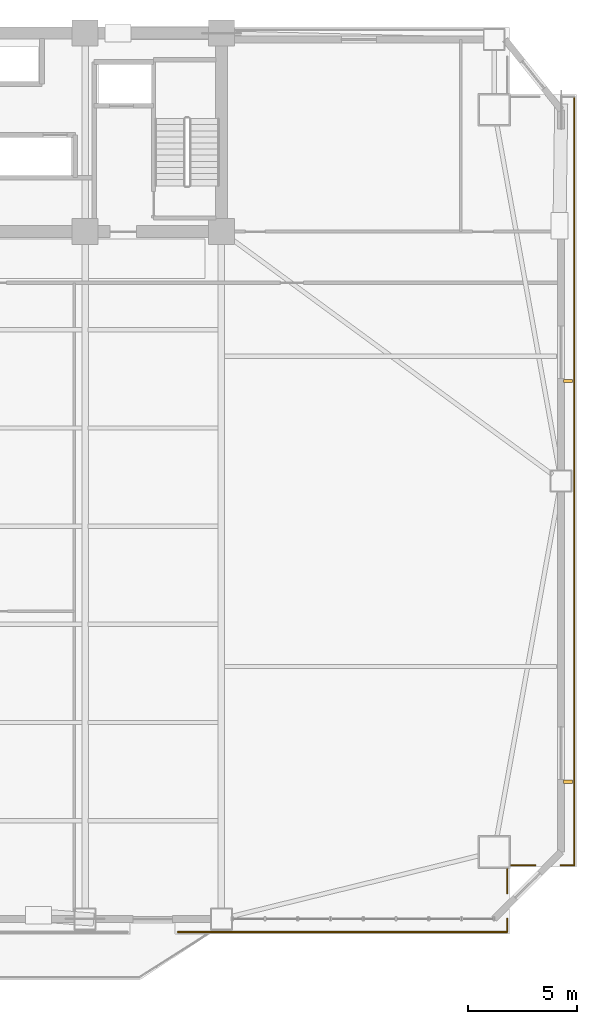
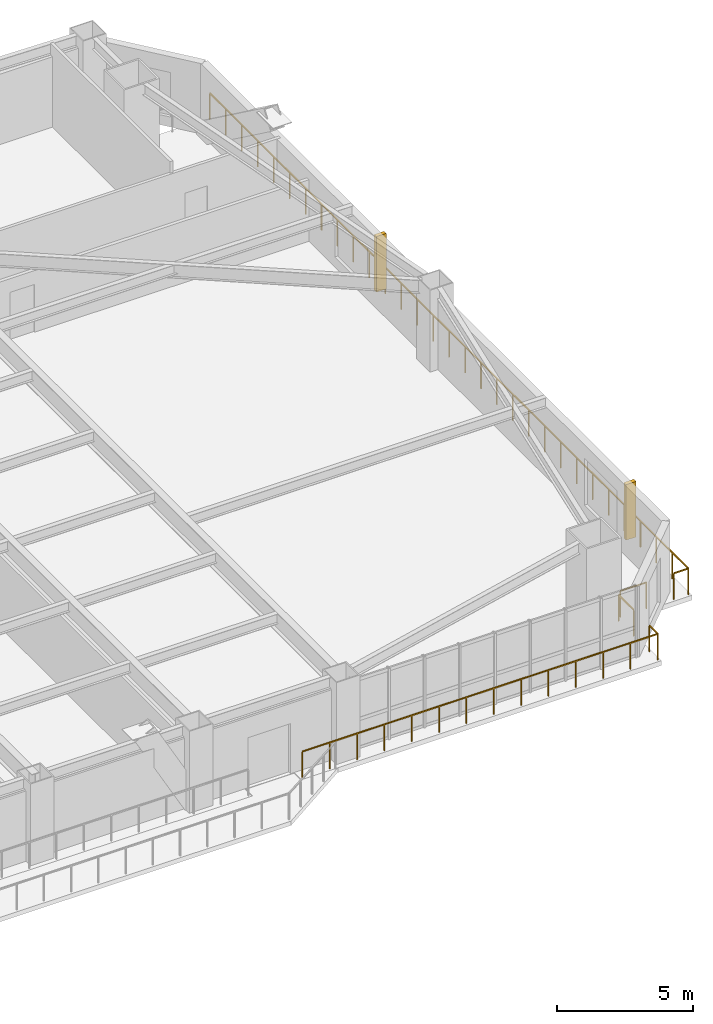
# One storey, part 13 of 16: 6 railings, 2 shading devices.
"""IFC4 building model written with IfcOpenShell, lengths in metres."""

from ifc_helpers import new_model, si_unit, direction, frame, origin, origin_2d, place, context, subcontext, project, spatial, rectangle, extrude, source, transform, mapped, material, type_object, element, save


model = new_model("IFC4")

# Units and contexts
model_context = context("Model", 3, precision=1e-05, world=origin(), true_north=direction((0.0, 1.0)))
body_context = subcontext(model_context, "Body", "Model", "MODEL_VIEW")
ifc_project = project(units=[si_unit("LENGTHUNIT", "METRE"), si_unit("AREAUNIT", "SQUARE_METRE"), si_unit("VOLUMEUNIT", "CUBIC_METRE"), si_unit("PLANEANGLEUNIT", "RADIAN"), si_unit("MASSUNIT", "GRAM", prefix="KILO")], contexts=[model_context])

# Site, building, storey
site_placement = place(None, origin())
site = spatial("IfcSite", under=ifc_project, at=site_placement, CompositionType="ELEMENT")
building_placement = place(site_placement, origin())
building = spatial("IfcBuilding", under=site, at=building_placement, Name="Giltprow Tower", CompositionType="ELEMENT")
storey_placement = place(building_placement, frame((0.0, 0.0, 87.39990234375)))
storey = spatial("IfcBuildingStorey", under=building, at=storey_placement, Name="L21", CompositionType="ELEMENT", Elevation=87.39990234375)

# Railings
ifc_material = material(Name="Anodized bronze", Category="metal")
railing_type = type_object("IfcRailingType", Name="RAIL-BALC-GUARD-1200", PredefinedType="BALUSTRADE", material=ifc_material)
railing_1_placement = place(storey_placement, frame((66.72607421875, 43.6298828125, 0.0)))
element("IfcRailing", 1, at=railing_1_placement, inside=storey, type_object=railing_type, Name="L21 Corner Apron Edge Balustrade 14", PredefinedType="BALUSTRADE", context=body_context, shape_type="SweptSolid", body=[
    extrude(rectangle(XDim=0.048095703125, YDim=0.048095703125, at=origin_2d()), frame((0.0, 0.0, 1.17578125), z_axis=(0.0, -1.0, 0.0), x_axis=(1.0, 0.0, 0.0)), (0.0, 0.0, 1.0), 35.223876953125),
    extrude(rectangle(XDim=0.0419921875, YDim=0.0419921875, at=origin_2d()), origin(), (0.0, 0.0, 1.0), 1.15185546875),
    extrude(rectangle(XDim=0.0419921875, YDim=0.0419921875, at=origin_2d()), frame((0.0, -1.174072265625, 0.0)), (0.0, 0.0, 1.0), 1.15185546875),
    extrude(rectangle(XDim=0.0419921875, YDim=0.0419921875, at=origin_2d()), frame((0.0, -2.34814453125, 0.0)), (0.0, 0.0, 1.0), 1.15185546875),
    extrude(rectangle(XDim=0.0419921875, YDim=0.0419921875, at=origin_2d()), frame((0.0, -3.5224609375, 0.0)), (0.0, 0.0, 1.0), 1.15185546875),
    extrude(rectangle(XDim=0.0419921875, YDim=0.0419921875, at=origin_2d()), frame((0.0, -4.696533203125, 0.0)), (0.0, 0.0, 1.0), 1.15185546875),
    extrude(rectangle(XDim=0.0419921875, YDim=0.0419921875, at=origin_2d()), frame((0.0, -5.87060546875, 0.0)), (0.0, 0.0, 1.0), 1.15185546875),
    extrude(rectangle(XDim=0.0419921875, YDim=0.0419921875, at=origin_2d()), frame((0.0, -7.044677734375, 0.0)), (0.0, 0.0, 1.0), 1.15185546875),
    extrude(rectangle(XDim=0.0419921875, YDim=0.0419921875, at=origin_2d()), frame((0.0, -8.218994140625, 0.0)), (0.0, 0.0, 1.0), 1.15185546875),
    extrude(rectangle(XDim=0.0419921875, YDim=0.0419921875, at=origin_2d()), frame((0.0, -9.39306640625, 0.0)), (0.0, 0.0, 1.0), 1.15185546875),
    extrude(rectangle(XDim=0.0419921875, YDim=0.0419921875, at=origin_2d()), frame((0.0, -10.567138671875, 0.0)), (0.0, 0.0, 1.0), 1.15185546875),
    extrude(rectangle(XDim=0.0419921875, YDim=0.0419921875, at=origin_2d()), frame((0.0, -11.7412109375, 0.0)), (0.0, 0.0, 1.0), 1.15185546875),
    extrude(rectangle(XDim=0.0419921875, YDim=0.0419921875, at=origin_2d()), frame((0.0, -12.91552734375, 0.0)), (0.0, 0.0, 1.0), 1.15185546875),
    extrude(rectangle(XDim=0.0419921875, YDim=0.0419921875, at=origin_2d()), frame((0.0, -14.089599609375, 0.0)), (0.0, 0.0, 1.0), 1.15185546875),
    extrude(rectangle(XDim=0.0419921875, YDim=0.0419921875, at=origin_2d()), frame((0.0, -15.263671875, 0.0)), (0.0, 0.0, 1.0), 1.15185546875),
    extrude(rectangle(XDim=0.0419921875, YDim=0.0419921875, at=origin_2d()), frame((0.0, -16.437744140625, 0.0)), (0.0, 0.0, 1.0), 1.15185546875),
    extrude(rectangle(XDim=0.0419921875, YDim=0.0419921875, at=origin_2d()), frame((0.0, -17.61181640625, 0.0)), (0.0, 0.0, 1.0), 1.15185546875),
    extrude(rectangle(XDim=0.0419921875, YDim=0.0419921875, at=origin_2d()), frame((0.0, -18.7861328125, 0.0)), (0.0, 0.0, 1.0), 1.15185546875),
    extrude(rectangle(XDim=0.0419921875, YDim=0.0419921875, at=origin_2d()), frame((0.0, -19.960205078125, 0.0)), (0.0, 0.0, 1.0), 1.15185546875),
    extrude(rectangle(XDim=0.0419921875, YDim=0.0419921875, at=origin_2d()), frame((0.0, -21.13427734375, 0.0)), (0.0, 0.0, 1.0), 1.15185546875),
    extrude(rectangle(XDim=0.0419921875, YDim=0.0419921875, at=origin_2d()), frame((0.0, -22.308349609375, 0.0)), (0.0, 0.0, 1.0), 1.15185546875),
    extrude(rectangle(XDim=0.0419921875, YDim=0.0419921875, at=origin_2d()), frame((0.0, -23.482666015625, 0.0)), (0.0, 0.0, 1.0), 1.15185546875),
    extrude(rectangle(XDim=0.0419921875, YDim=0.0419921875, at=origin_2d()), frame((0.0, -24.65673828125, 0.0)), (0.0, 0.0, 1.0), 1.15185546875),
    extrude(rectangle(XDim=0.0419921875, YDim=0.0419921875, at=origin_2d()), frame((0.0, -25.830810546875, 0.0)), (0.0, 0.0, 1.0), 1.15185546875),
    extrude(rectangle(XDim=0.0419921875, YDim=0.0419921875, at=origin_2d()), frame((0.0, -27.0048828125, 0.0)), (0.0, 0.0, 1.0), 1.15185546875),
    extrude(rectangle(XDim=0.0419921875, YDim=0.0419921875, at=origin_2d()), frame((0.0, -28.17919921875, 0.0)), (0.0, 0.0, 1.0), 1.15185546875),
    extrude(rectangle(XDim=0.0419921875, YDim=0.0419921875, at=origin_2d()), frame((0.0, -29.353271484375, 0.0)), (0.0, 0.0, 1.0), 1.15185546875),
    extrude(rectangle(XDim=0.0419921875, YDim=0.0419921875, at=origin_2d()), frame((0.0, -30.52734375, 0.0)), (0.0, 0.0, 1.0), 1.15185546875),
    extrude(rectangle(XDim=0.0419921875, YDim=0.0419921875, at=origin_2d()), frame((0.0, -31.701416015625, 0.0)), (0.0, 0.0, 1.0), 1.15185546875),
    extrude(rectangle(XDim=0.0419921875, YDim=0.0419921875, at=origin_2d()), frame((0.0, -32.875732421875, 0.0)), (0.0, 0.0, 1.0), 1.15185546875),
    extrude(rectangle(XDim=0.0419921875, YDim=0.0419921875, at=origin_2d()), frame((0.0, -34.0498046875, 0.0)), (0.0, 0.0, 1.0), 1.15185546875),
    extrude(rectangle(XDim=0.0419921875, YDim=0.0419921875, at=origin_2d()), frame((0.0, -35.223876953125, 0.0)), (0.0, 0.0, 1.0), 1.15185546875),
])
railing_2_placement = place(storey_placement, frame((66.72607421875, 8.406005859375, 0.0)))
element("IfcRailing", 2, at=railing_2_placement, inside=storey, type_object=railing_type, Name="L21 Corner Apron Edge Balustrade 15", PredefinedType="BALUSTRADE", context=body_context, shape_type="SweptSolid", body=[
    extrude(rectangle(XDim=0.048095703125, YDim=0.048095703125, at=origin_2d()), frame((0.0, 0.0, 1.17578125), z_axis=(-1.0, 0.0, 0.0), x_axis=(0.0, -1.0, 0.0)), (0.0, 0.0, 1.0), 0.6201171875),
    extrude(rectangle(XDim=0.0419921875, YDim=0.0419921875, at=origin_2d()), origin(), (0.0, 0.0, 1.0), 1.15185546875),
    extrude(rectangle(XDim=0.0419921875, YDim=0.0419921875, at=origin_2d()), frame((-0.6201171875, 0.0, 0.0)), (0.0, 0.0, 1.0), 1.15185546875),
])
railing_3_placement = place(storey_placement, frame((64.946044921875, 8.406005859375, 0.0)))
element("IfcRailing", 3, at=railing_3_placement, inside=storey, type_object=railing_type, Name="L21 Corner Apron Edge Balustrade 16", PredefinedType="BALUSTRADE", context=body_context, shape_type="SweptSolid", body=[
    extrude(rectangle(XDim=0.048095703125, YDim=0.048095703125, at=origin_2d()), frame((0.0, 0.0, 1.17578125), z_axis=(-1.0, 0.0, 0.0), x_axis=(0.0, -1.0, 0.0)), (0.0, 0.0, 1.0), 1.10498046875),
    extrude(rectangle(XDim=0.0419921875, YDim=0.0419921875, at=origin_2d()), origin(), (0.0, 0.0, 1.0), 1.15185546875),
    extrude(rectangle(XDim=0.0419921875, YDim=0.0419921875, at=origin_2d()), frame((-1.10498046875, 0.0, 0.0)), (0.0, 0.0, 1.0), 1.15185546875),
])
railing_4_placement = place(storey_placement, frame((63.656005859375, 8.220947265625, 0.0)))
element("IfcRailing", 4, at=railing_4_placement, inside=storey, type_object=railing_type, Name="L21 Corner Apron Edge Balustrade 17", PredefinedType="BALUSTRADE", context=body_context, shape_type="SweptSolid", body=[
    extrude(rectangle(XDim=0.048095703125, YDim=0.048095703125, at=origin_2d()), frame((0.0, 0.0, 1.17578125), z_axis=(0.0, -1.0, 0.0), x_axis=(1.0, 0.0, 0.0)), (0.0, 0.0, 1.0), 1.10498046875),
    extrude(rectangle(XDim=0.0419921875, YDim=0.0419921875, at=origin_2d()), origin(), (0.0, 0.0, 1.0), 1.15185546875),
    extrude(rectangle(XDim=0.0419921875, YDim=0.0419921875, at=origin_2d()), frame((0.0, -1.10498046875, 0.0)), (0.0, 0.0, 1.0), 1.15185546875),
])
railing_5_placement = place(storey_placement, frame((63.656005859375, 5.9560546875, 0.0)))
element("IfcRailing", 5, at=railing_5_placement, inside=storey, type_object=railing_type, Name="L21 Corner Apron Edge Balustrade 18", PredefinedType="BALUSTRADE", context=body_context, shape_type="SweptSolid", body=[
    extrude(rectangle(XDim=0.048095703125, YDim=0.048095703125, at=origin_2d()), frame((0.0, 0.0, 1.17578125), z_axis=(0.0, -1.0, 0.0), x_axis=(1.0, 0.0, 0.0)), (0.0, 0.0, 1.0), 0.6201171875),
    extrude(rectangle(XDim=0.0419921875, YDim=0.0419921875, at=origin_2d()), origin(), (0.0, 0.0, 1.0), 1.15185546875),
    extrude(rectangle(XDim=0.0419921875, YDim=0.0419921875, at=origin_2d()), frame((0.0, -0.6201171875, 0.0)), (0.0, 0.0, 1.0), 1.15185546875),
])
railing_6_placement = place(storey_placement, frame((63.656005859375, 5.3359375, 0.0)))
element("IfcRailing", 6, at=railing_6_placement, inside=storey, type_object=railing_type, Name="L21 Corner Apron Edge Balustrade 19", PredefinedType="BALUSTRADE", context=body_context, shape_type="SweptSolid", body=[
    extrude(rectangle(XDim=0.048095703125, YDim=0.048095703125, at=origin_2d()), frame((0.0, 0.0, 1.17578125), z_axis=(-1.0, 0.0, 0.0), x_axis=(0.0, -1.0, 0.0)), (0.0, 0.0, 1.0), 15.10595703125),
    extrude(rectangle(XDim=0.0419921875, YDim=0.0419921875, at=origin_2d()), origin(), (0.0, 0.0, 1.0), 1.15185546875),
    extrude(rectangle(XDim=0.0419921875, YDim=0.0419921875, at=origin_2d()), frame((-1.162109375, 0.0, 0.0)), (0.0, 0.0, 1.0), 1.15185546875),
    extrude(rectangle(XDim=0.0419921875, YDim=0.0419921875, at=origin_2d()), frame((-2.323974609375, 0.0, 0.0)), (0.0, 0.0, 1.0), 1.15185546875),
    extrude(rectangle(XDim=0.0419921875, YDim=0.0419921875, at=origin_2d()), frame((-3.486083984375, 0.0, 0.0)), (0.0, 0.0, 1.0), 1.15185546875),
    extrude(rectangle(XDim=0.0419921875, YDim=0.0419921875, at=origin_2d()), frame((-4.64794921875, 0.0, 0.0)), (0.0, 0.0, 1.0), 1.15185546875),
    extrude(rectangle(XDim=0.0419921875, YDim=0.0419921875, at=origin_2d()), frame((-5.81005859375, 0.0, 0.0)), (0.0, 0.0, 1.0), 1.15185546875),
    extrude(rectangle(XDim=0.0419921875, YDim=0.0419921875, at=origin_2d()), frame((-6.971923828125, 0.0, 0.0)), (0.0, 0.0, 1.0), 1.15185546875),
    extrude(rectangle(XDim=0.0419921875, YDim=0.0419921875, at=origin_2d()), frame((-8.134033203125, 0.0, 0.0)), (0.0, 0.0, 1.0), 1.15185546875),
    extrude(rectangle(XDim=0.0419921875, YDim=0.0419921875, at=origin_2d()), frame((-9.2958984375, 0.0, 0.0)), (0.0, 0.0, 1.0), 1.15185546875),
    extrude(rectangle(XDim=0.0419921875, YDim=0.0419921875, at=origin_2d()), frame((-10.4580078125, 0.0, 0.0)), (0.0, 0.0, 1.0), 1.15185546875),
    extrude(rectangle(XDim=0.0419921875, YDim=0.0419921875, at=origin_2d()), frame((-11.619873046875, 0.0, 0.0)), (0.0, 0.0, 1.0), 1.15185546875),
    extrude(rectangle(XDim=0.0419921875, YDim=0.0419921875, at=origin_2d()), frame((-12.781982421875, 0.0, 0.0)), (0.0, 0.0, 1.0), 1.15185546875),
    extrude(rectangle(XDim=0.0419921875, YDim=0.0419921875, at=origin_2d()), frame((-13.94384765625, 0.0, 0.0)), (0.0, 0.0, 1.0), 1.15185546875),
    extrude(rectangle(XDim=0.0419921875, YDim=0.0419921875, at=origin_2d()), frame((-15.10595703125, 0.0, 0.0)), (0.0, 0.0, 1.0), 1.15185546875),
])

# Shading devices
shading_device_type = type_object("IfcShadingDeviceType", Name="SHD-FIN-420", PredefinedType="USERDEFINED", material=ifc_material)
shared_shape = source(origin(), body_context, "Body", "SweptSolid", [
    extrude(rectangle(XDim=0.419921875, YDim=0.159912109375, at=origin_2d()), origin(), (0.0, 0.0, 1.0), 2.5),
])
for number, where, z_axis, x_axis, name in (
    (7, (66.446044921875, 12.218994140625, 0.35009765625), (0.0, 0.0, 1.0), (1.0, 0.0, 0.0), "L21 E Bronze Vertical Fin 1-1"),
    (8, (66.446044921875, 30.59912109375, 0.35009765625), (0.0, 0.0, 1.0), (1.0, 0.0, 0.0), "L21 E Bronze Vertical Fin 2-1"),
):
    element("IfcShadingDevice", number, at=place(storey_placement, frame(where, z_axis=z_axis, x_axis=x_axis)), inside=storey, type_object=shading_device_type, Name=name, ObjectType="FIN", PredefinedType="USERDEFINED", context=body_context, shape_type="MappedRepresentation", body=[
        mapped(shared_shape, transform((0.0, 0.0, 0.0), x_axis=(1.0, 0.0, 0.0), y_axis=(0.0, 1.0, 0.0), z_axis=(0.0, 0.0, 1.0), scale=1.0)),
    ])

save(model, "model.ifc")
